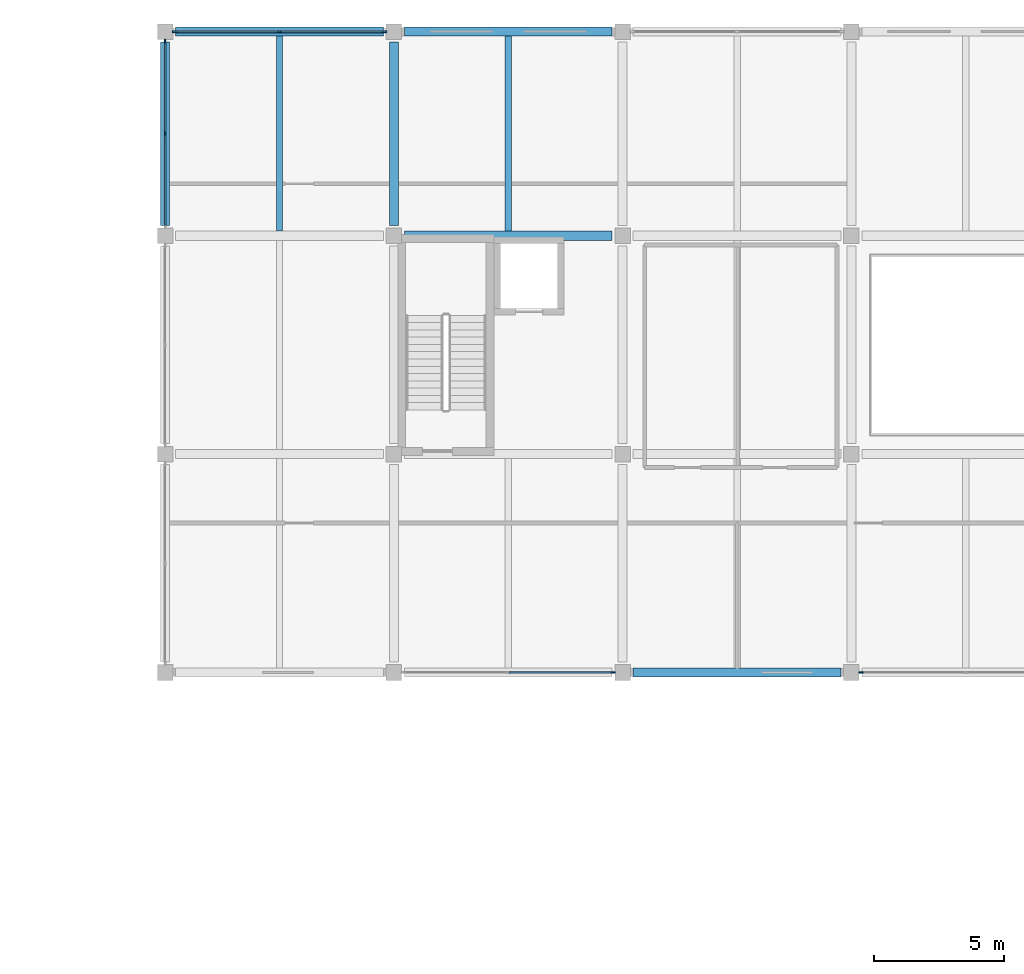
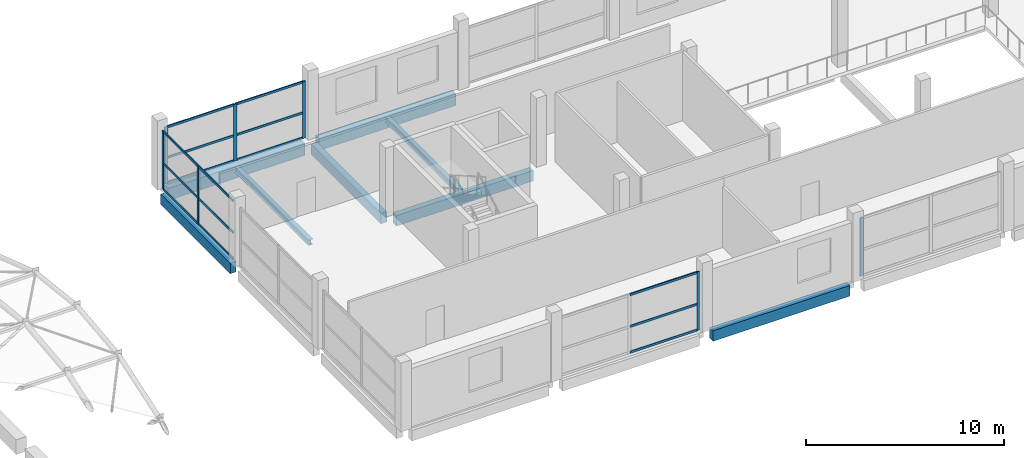
# One storey, part 6 of 38: 22 members, 8 beams, 4 elements without a shape of their own.
"""IFC4 building model written with IfcOpenShell, lengths in metres."""

from ifc_helpers import new_model, si_unit, direction, frame, origin, origin_2d, place, context, subcontext, project, spatial, rectangle, i_section, extrude, material, material_profile, profile_set, type_object, element, aggregate, save


model = new_model("IFC4")

# Units and contexts
model_context = context("Model", 3, precision=1e-05, world=origin(), true_north=direction((0.0, 1.0)))
body_context = subcontext(model_context, "Body", "Model", "MODEL_VIEW")
ifc_project = project(units=[si_unit("LENGTHUNIT", "METRE"), si_unit("AREAUNIT", "SQUARE_METRE"), si_unit("VOLUMEUNIT", "CUBIC_METRE"), si_unit("PLANEANGLEUNIT", "RADIAN"), si_unit("MASSUNIT", "GRAM", prefix="KILO")], contexts=[model_context])

# Site, building, storey
site_placement = place(None, origin())
site = spatial("IfcSite", under=ifc_project, at=site_placement, CompositionType="ELEMENT")
building_placement = place(site_placement, origin())
building = spatial("IfcBuilding", under=site, at=building_placement, Name="Brinegate Botanical Conservatory", CompositionType="ELEMENT")
storey_placement = place(building_placement, frame((0.0, 0.0, 10.199951171875)))
storey = spatial("IfcBuildingStorey", under=building, at=storey_placement, Name="L03", CompositionType="ELEMENT", Elevation=10.199951171875)

# Beams
ifc_material_1 = material(Name="Concrete C40/50", Category="concrete")
ifc_material_profile_1 = material_profile(ifc_material_1, rectangle(XDim=0.35009765625, YDim=0.64990234375, at=origin_2d()), Name="RC BM 350x650")
ifc_profile_set_1 = profile_set([ifc_material_profile_1], Name="Concrete C40/50")
beam_type_1 = type_object("IfcBeamType", Name="Beam_BM-V3", PredefinedType="BEAM", material=ifc_profile_set_1)
for number, where, z_axis, x_axis, name in (
    (1, (68.800048828125, 86.800048828125, -0.544921875), (1.0, 0.0, 0.0), (0.0, 1.0, 0.0), "Beam BM-V3 L03 L:9-10"),
    (2, (60.0, 103.60009765625, -0.544921875), (1.0, 0.0, 0.0), (0.0, 1.0, 0.0), "Beam BM-V3 L03 N:8-9"),
):
    element("IfcBeam", number, at=place(storey_placement, frame(where, z_axis=z_axis, x_axis=x_axis)), inside=storey, type_object=beam_type_1, Name=name, PredefinedType="BEAM", context=body_context, shape_type="SweptSolid", body=[
        extrude(rectangle(XDim=0.35009765625, YDim=0.64990234375, at=origin_2d()), origin(), (0.0, 0.0, 1.0), 8.0),
    ])
for number, where, z_axis, x_axis, name in (
    (3, (50.800048828125, 104.0, -0.544921875), (0.0, 1.0, 0.0), (-1.0, 0.0, 0.0), "Beam BM-V3 L03 7:N-P"),
    (4, (59.60009765625, 104.0, -0.544921875), (0.0, 1.0, 0.0), (-1.0, 0.0, 0.0), "Beam BM-V3 L03 8:N-P"),
):
    element("IfcBeam", number, at=place(storey_placement, frame(where, z_axis=z_axis, x_axis=x_axis)), inside=storey, type_object=beam_type_1, Name=name, PredefinedType="BEAM", context=body_context, shape_type="SweptSolid", body=[
        extrude(rectangle(XDim=0.35009765625, YDim=0.64990234375, at=origin_2d()), origin(), (0.0, 0.0, 1.0), 7.050048828125),
    ])
ifc_material_2 = material(Name="Structural steel Q355B / S355", Category="steel")
ifc_material_profile_2 = material_profile(ifc_material_2, i_section(OverallWidth=0.25, OverallDepth=0.340087890625, WebThickness=0.009033203125, FlangeThickness=0.013916015625, at=origin_2d()), Name="HM 340x250x9x14")
ifc_profile_set_2 = profile_set([ifc_material_profile_2], Name="Structural steel Q355B / S355")
beam_type_2 = type_object("IfcBeamType", Name="Beam_JS-S5", PredefinedType="JOIST", material=ifc_profile_set_2)
for number, where, z_axis, x_axis, name in (
    (5, (55.199951171875, 103.77490234375, -0.389892578125), (0.0, 1.0, 0.0), (-1.0, 0.0, 0.0), "Floor joist JS-S5 L03 bay 7.13"),
    (6, (64.0, 103.77490234375, -0.389892578125), (0.0, 1.0, 0.0), (-1.0, 0.0, 0.0), "Floor joist JS-S5 L03 bay 8.13"),
):
    element("IfcBeam", number, at=place(storey_placement, frame(where, z_axis=z_axis, x_axis=x_axis)), inside=storey, type_object=beam_type_2, Name=name, PredefinedType="JOIST", context=body_context, shape_type="SweptSolid", body=[
        extrude(i_section(OverallWidth=0.25, OverallDepth=0.340087890625, WebThickness=0.009033203125, FlangeThickness=0.013916015625, at=origin_2d()), origin(), (0.0, 0.0, 1.0), 7.5),
    ])
ifc_material_profile_3 = material_profile(ifc_material_1, rectangle(XDim=0.35009765625, YDim=0.75, at=origin_2d()), Name="RC SPN 350x750")
ifc_profile_set_3 = profile_set([ifc_material_profile_3], Name="Concrete C40/50")
beam_type_3 = type_object("IfcBeamType", Name="Beam_SP-01", PredefinedType="SPANDREL", material=ifc_profile_set_3)
for number, where, z_axis, x_axis, name in (
    (7, (51.199951171875, 111.449951171875, -0.594970703125), (1.0, 0.0, 0.0), (0.0, 1.0, 0.0), "Beam SP-01 L03 P:7-8"),
    (8, (60.0, 111.449951171875, -0.594970703125), (1.0, 0.0, 0.0), (0.0, 1.0, 0.0), "Beam SP-01 L03 P:8-9"),
):
    element("IfcBeam", number, at=place(storey_placement, frame(where, z_axis=z_axis, x_axis=x_axis)), inside=storey, type_object=beam_type_3, Name=name, PredefinedType="SPANDREL", context=body_context, shape_type="SweptSolid", body=[
        extrude(rectangle(XDim=0.35009765625, YDim=0.75, at=origin_2d()), origin(), (0.0, 0.0, 1.0), 8.0),
    ])

# Curtain wall, members
ifc_material_3 = material(Name="Thermally broken anodised aluminium AW-6063-T6", Category="aluminium")
curtain_wall_type = type_object("IfcCurtainWallType", Name="CW_CW-V3", PredefinedType="USERDEFINED", material=ifc_material_3)
curtain_wall_1_placement = place(storey_placement, origin())
curtain_wall_1 = element("IfcCurtainWall", 9, at=curtain_wall_1_placement, inside=storey, type_object=curtain_wall_type, Name="Visitor north factory curtain wall L03.1", ObjectType="FACTORY CURTAIN WALL", PredefinedType="USERDEFINED")
ifc_material_profile_4 = material_profile(ifc_material_3, rectangle(XDim=0.06494140625, YDim=0.179931640625, at=origin_2d()), Name="ALUM MULLION 65x180")
ifc_profile_set_4 = profile_set([ifc_material_profile_4], Name="Thermally broken anodised aluminium AW-6063-T6")
member_type_1 = type_object("IfcMemberType", Name="Member_ML-02", PredefinedType="MULLION", material=ifc_profile_set_4)
member_1_placement = place(storey_placement, frame((51.172607421875, 111.449951171875, 0.0), z_axis=(0.0, 0.0, 1.0), x_axis=(0.0, 1.0, 0.0)))
member_1 = element("IfcMember", 10, at=member_1_placement, type_object=member_type_1, Name="CW-V3 mullion 1", PredefinedType="MULLION", context=body_context, shape_type="SweptSolid", body=[
    extrude(rectangle(XDim=0.06494140625, YDim=0.179931640625, at=origin_2d()), origin(), (0.0, 0.0, 1.0), 3.510009765625),
])
member_2_placement = place(storey_placement, frame((55.199951171875, 111.449951171875, 0.0), z_axis=(0.0, 0.0, 1.0), x_axis=(0.0, 1.0, 0.0)))
member_2 = element("IfcMember", 11, at=member_2_placement, type_object=member_type_1, Name="CW-V3 mullion 2", PredefinedType="MULLION", context=body_context, shape_type="SweptSolid", body=[
    extrude(rectangle(XDim=0.06494140625, YDim=0.179931640625, at=origin_2d()), origin(), (0.0, 0.0, 1.0), 3.510009765625),
])
member_3_placement = place(storey_placement, frame((59.2275390625, 111.449951171875, 0.0), z_axis=(0.0, 0.0, 1.0), x_axis=(0.0, 1.0, 0.0)))
member_3 = element("IfcMember", 12, at=member_3_placement, type_object=member_type_1, Name="CW-V3 mullion 3", PredefinedType="MULLION", context=body_context, shape_type="SweptSolid", body=[
    extrude(rectangle(XDim=0.06494140625, YDim=0.179931640625, at=origin_2d()), origin(), (0.0, 0.0, 1.0), 3.510009765625),
])

# Curtain wall, member
curtain_wall_2_placement = place(storey_placement, origin())
curtain_wall_2 = element("IfcCurtainWall", 13, at=curtain_wall_2_placement, inside=storey, type_object=curtain_wall_type, Name="Visitor south court curtain wall L03.2", ObjectType="FACTORY CURTAIN WALL", PredefinedType="USERDEFINED")
member_4_placement = place(storey_placement, frame((68.027587890625, 86.800048828125, 0.0), z_axis=(0.0, 0.0, 1.0), x_axis=(0.0, -1.0, 0.0)))
member_4 = element("IfcMember", 14, at=member_4_placement, type_object=member_type_1, Name="CW-V3 mullion 1", PredefinedType="MULLION", context=body_context, shape_type="SweptSolid", body=[
    extrude(rectangle(XDim=0.06494140625, YDim=0.179931640625, at=origin_2d()), origin(), (0.0, 0.0, 1.0), 3.610107421875),
])

curtain_wall_3_placement = place(storey_placement, origin())
curtain_wall_3 = element("IfcCurtainWall", 15, at=curtain_wall_3_placement, inside=storey, type_object=curtain_wall_type, Name="Visitor south court curtain wall L03.4", ObjectType="FACTORY CURTAIN WALL", PredefinedType="USERDEFINED")
member_5_placement = place(storey_placement, frame((77.572509765625, 86.800048828125, 0.0), z_axis=(0.0, 0.0, 1.0), x_axis=(0.0, -1.0, 0.0)))
member_5 = element("IfcMember", 16, at=member_5_placement, type_object=member_type_1, Name="CW-V3 mullion 3", PredefinedType="MULLION", context=body_context, shape_type="SweptSolid", body=[
    extrude(rectangle(XDim=0.06494140625, YDim=0.179931640625, at=origin_2d()), origin(), (0.0, 0.0, 1.0), 3.610107421875),
])
aggregate(curtain_wall_3, [member_5])

# Curtain wall, members
curtain_wall_4_placement = place(storey_placement, origin())
curtain_wall_4 = element("IfcCurtainWall", 17, at=curtain_wall_4_placement, inside=storey, type_object=curtain_wall_type, Name="Visitor west forecourt curtain wall L03.3", ObjectType="FACTORY CURTAIN WALL", PredefinedType="USERDEFINED")
member_6_placement = place(storey_placement, frame((50.800048828125, 107.52490234375, 0.0), z_axis=(0.0, 0.0, 1.0), x_axis=(-1.0, 0.0, 0.0)))
member_6 = element("IfcMember", 18, at=member_6_placement, type_object=member_type_1, Name="CW-V3 mullion 2", PredefinedType="MULLION", context=body_context, shape_type="SweptSolid", body=[
    extrude(rectangle(XDim=0.06494140625, YDim=0.179931640625, at=origin_2d()), origin(), (0.0, 0.0, 1.0), 3.610107421875),
])
member_7_placement = place(storey_placement, frame((50.800048828125, 111.077392578125, 0.0), z_axis=(0.0, 0.0, 1.0), x_axis=(-1.0, 0.0, 0.0)))
member_7 = element("IfcMember", 19, at=member_7_placement, type_object=member_type_1, Name="CW-V3 mullion 3", PredefinedType="MULLION", context=body_context, shape_type="SweptSolid", body=[
    extrude(rectangle(XDim=0.06494140625, YDim=0.179931640625, at=origin_2d()), origin(), (0.0, 0.0, 1.0), 3.610107421875),
])

# Member
ifc_material_profile_5 = material_profile(ifc_material_3, rectangle(XDim=0.06494140625, YDim=0.135009765625, at=origin_2d()), Name="ALUM TRANSOM 65x135")
ifc_profile_set_5 = profile_set([ifc_material_profile_5], Name="Thermally broken anodised aluminium AW-6063-T6")
member_type_2 = type_object("IfcMemberType", Name="Member_TR-02", PredefinedType="USERDEFINED", material=ifc_profile_set_5)
member_8_placement = place(storey_placement, frame((51.205078125, 111.449951171875, 0.032470703125), z_axis=(1.0, 0.0, 0.0), x_axis=(0.0, 1.0, 0.0)))
member_8 = element("IfcMember", 20, at=member_8_placement, type_object=member_type_2, Name="CW-V3 transom 1.1", ObjectType="TRANSOM", PredefinedType="USERDEFINED", context=body_context, shape_type="SweptSolid", body=[
    extrude(rectangle(XDim=0.06494140625, YDim=0.135009765625, at=origin_2d()), origin(), (0.0, 0.0, 1.0), 3.96240234375),
])

member_9_placement = place(storey_placement, frame((51.205078125, 111.449951171875, 1.580078125), z_axis=(1.0, 0.0, 0.0), x_axis=(0.0, 1.0, 0.0)))
member_9 = element("IfcMember", 21, at=member_9_placement, type_object=member_type_2, Name="CW-V3 transom 1.2", ObjectType="TRANSOM", PredefinedType="USERDEFINED", context=body_context, shape_type="SweptSolid", body=[
    extrude(rectangle(XDim=0.06494140625, YDim=0.135009765625, at=origin_2d()), origin(), (0.0, 0.0, 1.0), 3.96240234375),
])

member_10_placement = place(storey_placement, frame((51.205078125, 111.449951171875, 3.4775390625), z_axis=(1.0, 0.0, 0.0), x_axis=(0.0, 1.0, 0.0)))
member_10 = element("IfcMember", 22, at=member_10_placement, type_object=member_type_2, Name="CW-V3 transom 1.3", ObjectType="TRANSOM", PredefinedType="USERDEFINED", context=body_context, shape_type="SweptSolid", body=[
    extrude(rectangle(XDim=0.06494140625, YDim=0.135009765625, at=origin_2d()), origin(), (0.0, 0.0, 1.0), 3.96240234375),
])

member_11_placement = place(storey_placement, frame((55.232421875, 111.449951171875, 0.032470703125), z_axis=(1.0, 0.0, 0.0), x_axis=(0.0, 1.0, 0.0)))
member_11 = element("IfcMember", 23, at=member_11_placement, type_object=member_type_2, Name="CW-V3 transom 2.1", ObjectType="TRANSOM", PredefinedType="USERDEFINED", context=body_context, shape_type="SweptSolid", body=[
    extrude(rectangle(XDim=0.06494140625, YDim=0.135009765625, at=origin_2d()), origin(), (0.0, 0.0, 1.0), 3.962646484375),
])

member_12_placement = place(storey_placement, frame((55.232421875, 111.449951171875, 1.580078125), z_axis=(1.0, 0.0, 0.0), x_axis=(0.0, 1.0, 0.0)))
member_12 = element("IfcMember", 24, at=member_12_placement, type_object=member_type_2, Name="CW-V3 transom 2.2", ObjectType="TRANSOM", PredefinedType="USERDEFINED", context=body_context, shape_type="SweptSolid", body=[
    extrude(rectangle(XDim=0.06494140625, YDim=0.135009765625, at=origin_2d()), origin(), (0.0, 0.0, 1.0), 3.962646484375),
])

member_13_placement = place(storey_placement, frame((55.232421875, 111.449951171875, 3.4775390625), z_axis=(1.0, 0.0, 0.0), x_axis=(0.0, 1.0, 0.0)))
member_13 = element("IfcMember", 25, at=member_13_placement, type_object=member_type_2, Name="CW-V3 transom 2.3", ObjectType="TRANSOM", PredefinedType="USERDEFINED", context=body_context, shape_type="SweptSolid", body=[
    extrude(rectangle(XDim=0.06494140625, YDim=0.135009765625, at=origin_2d()), origin(), (0.0, 0.0, 1.0), 3.962646484375),
])

aggregate(curtain_wall_1, [member_1, member_2, member_3, member_8, member_9, member_10, member_11, member_12, member_13])

member_14_placement = place(storey_placement, frame((67.9951171875, 86.800048828125, 0.032470703125), z_axis=(-1.0, 0.0, 0.0), x_axis=(0.0, -1.0, 0.0)))
member_14 = element("IfcMember", 26, at=member_14_placement, type_object=member_type_2, Name="CW-V3 transom 1.1", ObjectType="TRANSOM", PredefinedType="USERDEFINED", context=body_context, shape_type="SweptSolid", body=[
    extrude(rectangle(XDim=0.06494140625, YDim=0.135009765625, at=origin_2d()), origin(), (0.0, 0.0, 1.0), 3.962646484375),
])

member_15_placement = place(storey_placement, frame((67.9951171875, 86.800048828125, 1.625), z_axis=(-1.0, 0.0, 0.0), x_axis=(0.0, -1.0, 0.0)))
member_15 = element("IfcMember", 27, at=member_15_placement, type_object=member_type_2, Name="CW-V3 transom 1.2", ObjectType="TRANSOM", PredefinedType="USERDEFINED", context=body_context, shape_type="SweptSolid", body=[
    extrude(rectangle(XDim=0.06494140625, YDim=0.135009765625, at=origin_2d()), origin(), (0.0, 0.0, 1.0), 3.962646484375),
])

member_16_placement = place(storey_placement, frame((67.9951171875, 86.800048828125, 3.57763671875), z_axis=(-1.0, 0.0, 0.0), x_axis=(0.0, -1.0, 0.0)))
member_16 = element("IfcMember", 28, at=member_16_placement, type_object=member_type_2, Name="CW-V3 transom 1.3", ObjectType="TRANSOM", PredefinedType="USERDEFINED", context=body_context, shape_type="SweptSolid", body=[
    extrude(rectangle(XDim=0.06494140625, YDim=0.135009765625, at=origin_2d()), origin(), (0.0, 0.0, 1.0), 3.962646484375),
])

aggregate(curtain_wall_2, [member_4, member_14, member_15, member_16])

member_17_placement = place(storey_placement, frame((50.800048828125, 104.0048828125, 0.032470703125), z_axis=(0.0, 1.0, 0.0), x_axis=(-1.0, 0.0, 0.0)))
member_17 = element("IfcMember", 29, at=member_17_placement, type_object=member_type_2, Name="CW-V3 transom 1.1", ObjectType="TRANSOM", PredefinedType="USERDEFINED", context=body_context, shape_type="SweptSolid", body=[
    extrude(rectangle(XDim=0.06494140625, YDim=0.135009765625, at=origin_2d()), origin(), (0.0, 0.0, 1.0), 3.487548828125),
])

member_18_placement = place(storey_placement, frame((50.800048828125, 104.0048828125, 1.625), z_axis=(0.0, 1.0, 0.0), x_axis=(-1.0, 0.0, 0.0)))
member_18 = element("IfcMember", 30, at=member_18_placement, type_object=member_type_2, Name="CW-V3 transom 1.2", ObjectType="TRANSOM", PredefinedType="USERDEFINED", context=body_context, shape_type="SweptSolid", body=[
    extrude(rectangle(XDim=0.06494140625, YDim=0.135009765625, at=origin_2d()), origin(), (0.0, 0.0, 1.0), 3.487548828125),
])

member_19_placement = place(storey_placement, frame((50.800048828125, 104.0048828125, 3.57763671875), z_axis=(0.0, 1.0, 0.0), x_axis=(-1.0, 0.0, 0.0)))
member_19 = element("IfcMember", 31, at=member_19_placement, type_object=member_type_2, Name="CW-V3 transom 1.3", ObjectType="TRANSOM", PredefinedType="USERDEFINED", context=body_context, shape_type="SweptSolid", body=[
    extrude(rectangle(XDim=0.06494140625, YDim=0.135009765625, at=origin_2d()), origin(), (0.0, 0.0, 1.0), 3.487548828125),
])

member_20_placement = place(storey_placement, frame((50.800048828125, 107.5576171875, 0.032470703125), z_axis=(0.0, 1.0, 0.0), x_axis=(-1.0, 0.0, 0.0)))
member_20 = element("IfcMember", 32, at=member_20_placement, type_object=member_type_2, Name="CW-V3 transom 2.1", ObjectType="TRANSOM", PredefinedType="USERDEFINED", context=body_context, shape_type="SweptSolid", body=[
    extrude(rectangle(XDim=0.06494140625, YDim=0.135009765625, at=origin_2d()), origin(), (0.0, 0.0, 1.0), 3.4873046875),
])

member_21_placement = place(storey_placement, frame((50.800048828125, 107.5576171875, 1.625), z_axis=(0.0, 1.0, 0.0), x_axis=(-1.0, 0.0, 0.0)))
member_21 = element("IfcMember", 33, at=member_21_placement, type_object=member_type_2, Name="CW-V3 transom 2.2", ObjectType="TRANSOM", PredefinedType="USERDEFINED", context=body_context, shape_type="SweptSolid", body=[
    extrude(rectangle(XDim=0.06494140625, YDim=0.135009765625, at=origin_2d()), origin(), (0.0, 0.0, 1.0), 3.4873046875),
])

member_22_placement = place(storey_placement, frame((50.800048828125, 107.5576171875, 3.57763671875), z_axis=(0.0, 1.0, 0.0), x_axis=(-1.0, 0.0, 0.0)))
member_22 = element("IfcMember", 34, at=member_22_placement, type_object=member_type_2, Name="CW-V3 transom 2.3", ObjectType="TRANSOM", PredefinedType="USERDEFINED", context=body_context, shape_type="SweptSolid", body=[
    extrude(rectangle(XDim=0.06494140625, YDim=0.135009765625, at=origin_2d()), origin(), (0.0, 0.0, 1.0), 3.4873046875),
])

aggregate(curtain_wall_4, [member_6, member_7, member_17, member_18, member_19, member_20, member_21, member_22])

save(model, "model.ifc")
